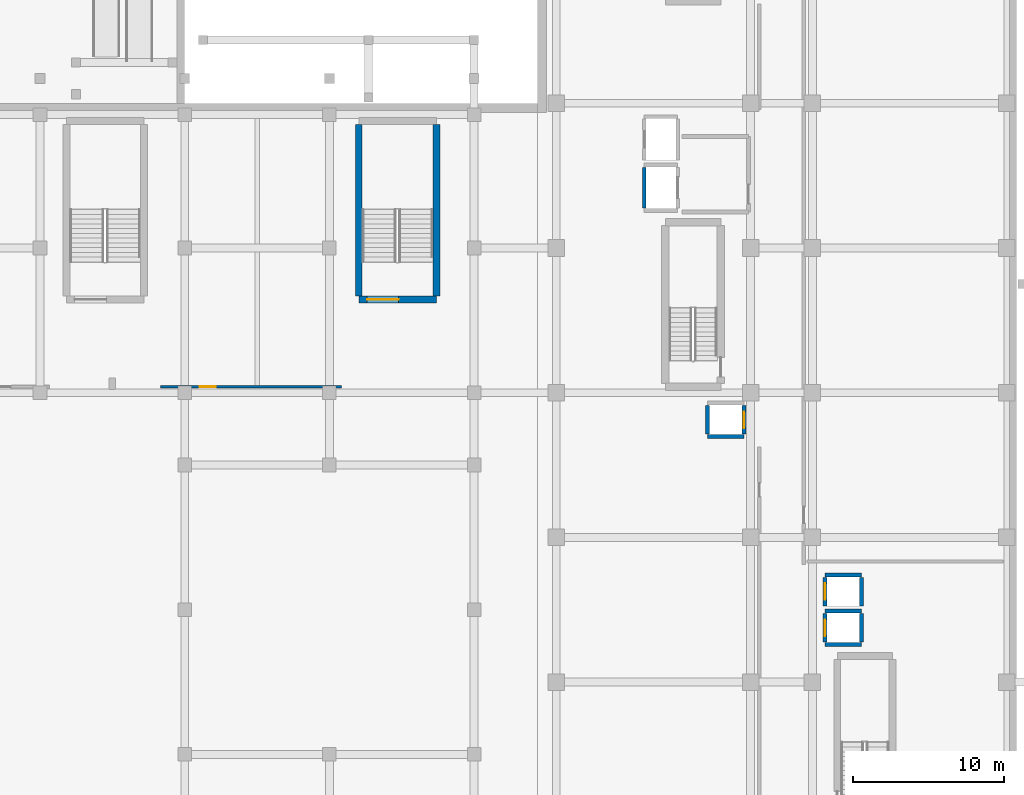
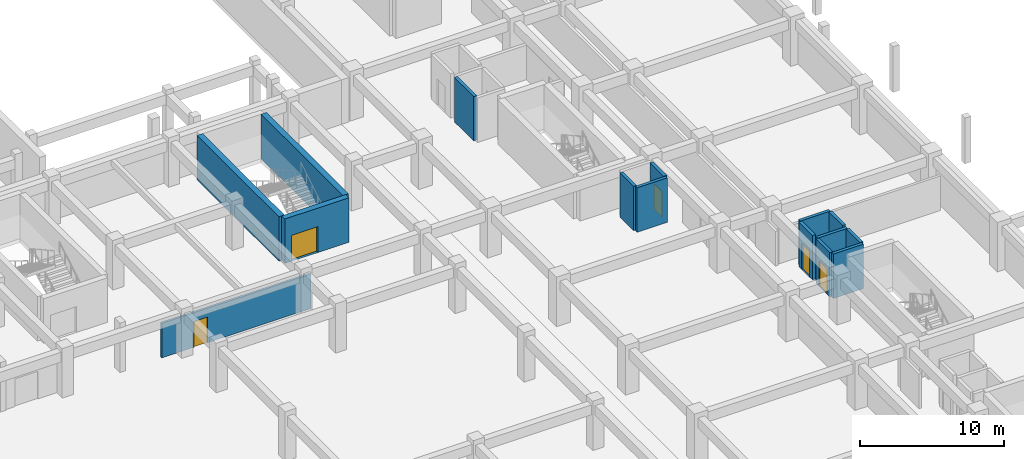
# One storey, part 16 of 39: 15 walls, 5 doors, 5 openings.
"""IFC4 building model written with IfcOpenShell, lengths in metres."""

from ifc_helpers import new_model, si_unit, direction, frame, frame_2d, origin, place, context, subcontext, project, spatial, rectangle, extrude, material, layer, layer_set, type_object, element, fill, save


model = new_model("IFC4")

# Units and contexts
model_context = context("Model", 3, precision=1e-05, world=origin(), true_north=direction((0.0, 1.0)))
body_context = subcontext(model_context, "Body", "Model", "MODEL_VIEW")
ifc_project = project(units=[si_unit("LENGTHUNIT", "METRE"), si_unit("AREAUNIT", "SQUARE_METRE"), si_unit("VOLUMEUNIT", "CUBIC_METRE"), si_unit("PLANEANGLEUNIT", "RADIAN"), si_unit("MASSUNIT", "GRAM", prefix="KILO")], contexts=[model_context])

# Site, building, storey
site_placement = place(None, origin())
site = spatial("IfcSite", under=ifc_project, at=site_placement, CompositionType="ELEMENT")
building_placement = place(site_placement, origin())
building = spatial("IfcBuilding", under=site, at=building_placement, Name="Nakhvara Creek Congress Hotel", CompositionType="ELEMENT")
storey_placement = place(building_placement, frame((0.0, 0.0, -4.199951171875)))
storey = spatial("IfcBuildingStorey", under=building, at=storey_placement, Name="B1", CompositionType="ELEMENT", Elevation=-4.199951171875)

# Wall, opening, door
ifc_material_1 = material(Name="Concrete C50/60", Category="concrete")
ifc_layer_1 = layer(ifc_material_1, 0.449951171875)
ifc_layer_set_1 = layer_set([ifc_layer_1], Name="Concrete C50/60")
wall_type_1 = type_object("IfcWallType", Name="W-CORE-450", PredefinedType="SHEAR", material=ifc_layer_set_1)
wall_1_placement = place(storey_placement, frame((136.35009765625, 82.97998046875, 0.0), z_axis=(0.0, 0.0, 1.0), x_axis=(1.0, 0.0, 0.0)))
wall_1 = element("IfcWall", 1, at=wall_1_placement, inside=storey, type_object=wall_type_1, Name="Core Shear Wall WS02-CWALL-B1-0915", PredefinedType="SHEAR", context=body_context, shape_type="SweptSolid", body=[
    extrude(rectangle(XDim=5.14990234375, YDim=0.449951171875, at=frame_2d((2.574951171875, 0.0))), origin(), (0.0, 0.0, 1.0), 3.780029296875),
])
opening_1_placement = place(wall_1_placement, frame((0.550048828125, 0.0, 0.0)))
opening_1 = element("IfcOpeningElement", 2, at=opening_1_placement, cuts=wall_1, Name="Opening FD19", PredefinedType="OPENING", context=body_context, shape_type="SweptSolid", body=[
    extrude(rectangle(XDim=2.10009765625, YDim=2.199951171875, at=frame_2d((1.050048828125, 1.10009765625))), frame((0.0, 0.23681640625, 0.0), z_axis=(0.0, -1.0, 0.0), x_axis=(1.0, 0.0, 0.0)), (0.0, 0.0, 1.0), 0.473876953125),
])
ifc_material_2 = material(Name="Galvanised steel acoustic fire door", Category="steel")
door_type_1 = type_object("IfcDoorType", Name="DT-STAIR-220", OperationType="DOUBLE_DOOR_SINGLE_SWING", PredefinedType="DOOR", material=ifc_material_2)
door_1_placement = place(opening_1_placement, frame((2.10009765625, 0.0, 0.0), z_axis=(0.0, 0.0, 1.0), x_axis=(-1.0, 0.0, 0.0)))
door_1 = element("IfcDoor", 3, at=door_1_placement, inside=storey, type_object=door_type_1, Name="Stair Exit Door ST10-B1", OperationType="DOUBLE_DOOR_SINGLE_SWING", OverallHeight=2.199951171875, OverallWidth=2.10009765625, PredefinedType="DOOR", context=body_context, shape_type="SweptSolid", body=[
    extrude(rectangle(XDim=2.10009765625, YDim=2.199951171875, at=frame_2d((1.050048828125, 1.10009765625))), frame((0.0, 0.02490234375, 0.0), z_axis=(0.0, -1.0, 0.0), x_axis=(1.0, 0.0, 0.0)), (0.0, 0.0, 1.0), 0.050048828125),
])
fill(opening_1, door_1)

# Walls
for number, where, z_axis, x_axis, name in (
    (4, (136.35009765625, 83.199951171875, 0.0), (0.0, 0.0, 1.0), (0.0, 1.0, 0.0), "Core Shear Wall WS02-CWALL-B1-0917"),
    (5, (141.5, 83.199951171875, 0.0), (0.0, 0.0, 1.0), (0.0, 1.0, 0.0), "Core Shear Wall WS02-CWALL-B1-0918"),
):
    element("IfcWall", number, at=place(storey_placement, frame(where, z_axis=z_axis, x_axis=x_axis)), inside=storey, type_object=wall_type_1, Name=name, PredefinedType="SHEAR", context=body_context, shape_type="SweptSolid", body=[
        extrude(rectangle(XDim=11.400146484375, YDim=0.449951171875, at=frame_2d((5.7001953125, 0.0))), origin(), (0.0, 0.0, 1.0), 3.780029296875),
    ])

# Wall, opening, door
ifc_material_3 = material(Name="Gypsum acoustic board on steel stud", Category="steel")
ifc_layer_2 = layer(ifc_material_3, 0.179931640625)
ifc_layer_set_2 = layer_set([ifc_layer_2], Name="Gypsum acoustic board on steel stud")
wall_type_2 = type_object("IfcWallType", Name="W-MEET-180", PredefinedType="PARTITIONING", material=ifc_layer_set_2)
wall_2_placement = place(storey_placement, frame((123.199951171875, 77.199951171875, 0.0), z_axis=(0.0, 0.0, 1.0), x_axis=(1.0, 0.0, 0.0)))
wall_2 = element("IfcWall", 6, at=wall_2_placement, inside=storey, type_object=wall_type_2, Name="Interior Wall WP13-IW-B1-0049", PredefinedType="PARTITIONING", context=body_context, shape_type="SweptSolid", body=[
    extrude(rectangle(XDim=12.0, YDim=0.179931640625, at=frame_2d((6.0, 0.0))), origin(), (0.0, 0.0, 1.0), 2.931884765625),
])
opening_2_placement = place(wall_2_placement, frame((2.60009765625, 0.0, 0.0)))
opening_2 = element("IfcOpeningElement", 7, at=opening_2_placement, cuts=wall_2, Name="Opening ID04", PredefinedType="OPENING", context=body_context, shape_type="SweptSolid", body=[
    extrude(rectangle(XDim=1.050048828125, YDim=2.179931640625, at=frame_2d((0.52490234375, 1.08984375))), frame((0.0, 0.10205078125, 0.0), z_axis=(0.0, -1.0, 0.0), x_axis=(1.0, 0.0, 0.0)), (0.0, 0.0, 1.0), 0.203857421875),
])
ifc_material_4 = material(Name="Teak timber & frosted glass spa door", Category="wood")
door_type_2 = type_object("IfcDoorType", Name="DT-SPA-105", OperationType="NOTDEFINED", PredefinedType="DOOR", material=ifc_material_4)
door_2_placement = place(opening_2_placement, frame((1.050048828125, 0.0, 0.0), z_axis=(0.0, 0.0, 1.0), x_axis=(-1.0, 0.0, 0.0)))
door_2 = element("IfcDoor", 8, at=door_2_placement, inside=storey, type_object=door_type_2, Name="Interior Door ID04-0055", OperationType="SINGLE_SWING_RIGHT", OverallHeight=2.179931640625, OverallWidth=1.050048828125, PredefinedType="DOOR", context=body_context, shape_type="SweptSolid", body=[
    extrude(rectangle(XDim=1.050048828125, YDim=2.179931640625, at=frame_2d((0.52490234375, 1.08984375))), frame((0.0, 0.02490234375, 0.0), z_axis=(0.0, -1.0, 0.0), x_axis=(1.0, 0.0, 0.0)), (0.0, 0.0, 1.0), 0.050048828125),
])
fill(opening_2, door_2)

# Walls
ifc_material_5 = material(Name="Concrete C40/50", Category="concrete")
ifc_layer_3 = layer(ifc_material_5, 0.25)
ifc_layer_set_3 = layer_set([ifc_layer_3], Name="Concrete C40/50")
wall_type_3 = type_object("IfcWallType", Name="W-SHAFT-250", PredefinedType="SOLIDWALL", material=ifc_layer_set_3)
wall_3_placement = place(storey_placement, frame((155.2900390625, 89.050048828125, 0.0), z_axis=(0.0, 0.0, 1.0), x_axis=(0.0, 1.0, 0.0)))
element("IfcWall", 9, at=wall_3_placement, inside=storey, type_object=wall_type_3, Name="Core Shear Wall WI02-CWALL-B1-0025", PredefinedType="SOLIDWALL", context=body_context, shape_type="SweptSolid", body=[
    extrude(rectangle(XDim=2.699951171875, YDim=0.25, at=frame_2d((1.35009765625, 0.0))), origin(), (0.0, 0.0, 1.0), 3.780029296875),
])
wall_4_placement = place(storey_placement, frame((159.489990234375, 73.889892578125, 0.0), z_axis=(0.0, 0.0, 1.0), x_axis=(1.0, 0.0, 0.0)))
element("IfcWall", 10, at=wall_4_placement, inside=storey, type_object=wall_type_3, Name="Core Shear Wall WI02-CWALL-B1-0030", PredefinedType="SOLIDWALL", context=body_context, shape_type="SweptSolid", body=[
    extrude(rectangle(XDim=2.419921875, YDim=0.25, at=frame_2d((1.2099609375, 0.0))), origin(), (0.0, 0.0, 1.0), 3.780029296875),
])
wall_5_placement = place(storey_placement, frame((159.489990234375, 74.050048828125, 0.0), z_axis=(0.0, 0.0, 1.0), x_axis=(0.0, 1.0, 0.0)))
element("IfcWall", 11, at=wall_5_placement, inside=storey, type_object=wall_type_3, Name="Core Shear Wall WI02-CWALL-B1-0032", PredefinedType="SOLIDWALL", context=body_context, shape_type="SweptSolid", body=[
    extrude(rectangle(XDim=1.89990234375, YDim=0.25, at=frame_2d((0.949951171875, 0.0))), origin(), (0.0, 0.0, 1.0), 3.780029296875),
])

# Wall, opening, door
wall_6_placement = place(storey_placement, frame((161.909912109375, 74.050048828125, 0.0), z_axis=(0.0, 0.0, 1.0), x_axis=(0.0, 1.0, 0.0)))
wall_6 = element("IfcWall", 12, at=wall_6_placement, inside=storey, type_object=wall_type_3, Name="Core Shear Wall WI02-CWALL-B1-0033", PredefinedType="SOLIDWALL", context=body_context, shape_type="SweptSolid", body=[
    extrude(rectangle(XDim=1.89990234375, YDim=0.25, at=frame_2d((0.949951171875, 0.0))), origin(), (0.0, 0.0, 1.0), 3.780029296875),
])
opening_3_placement = place(wall_6_placement, frame((0.39990234375, 0.0, 0.0)))
opening_3 = element("IfcOpeningElement", 13, at=opening_3_placement, cuts=wall_6, Name="Opening LD01", PredefinedType="OPENING", context=body_context, shape_type="SweptSolid", body=[
    extrude(rectangle(XDim=1.10009765625, YDim=2.199951171875, at=frame_2d((0.550048828125, 1.10009765625))), frame((0.0, 0.136962890625, 0.0), z_axis=(0.0, -1.0, 0.0), x_axis=(1.0, 0.0, 0.0)), (0.0, 0.0, 1.0), 0.27392578125),
])
ifc_material_6 = material(Name="Brushed stainless steel sliding landing door", Category="steel")
door_type_3 = type_object("IfcDoorType", Name="DT-LIFT-110", OperationType="DOUBLE_DOOR_SLIDING", PredefinedType="DOOR", material=ifc_material_6)
door_3_placement = place(opening_3_placement, origin())
door_3 = element("IfcDoor", 14, at=door_3_placement, inside=storey, type_object=door_type_3, Name="Landing Door PL02-B1", OperationType="SLIDING_TO_LEFT", OverallHeight=2.199951171875, OverallWidth=1.10009765625, PredefinedType="DOOR", context=body_context, shape_type="SweptSolid", body=[
    extrude(rectangle(XDim=1.10009765625, YDim=2.199951171875, at=frame_2d((0.550048828125, 1.10009765625))), frame((0.0, 0.02490234375, 0.0), z_axis=(0.0, -1.0, 0.0), x_axis=(1.0, 0.0, 0.0)), (0.0, 0.0, 1.0), 0.050048828125),
])
fill(opening_3, door_3)

# Walls
for number, where, z_axis, x_axis, name in (
    (15, (167.2900390625, 60.090087890625, 0.0), (0.0, 0.0, 1.0), (1.0, 0.0, 0.0), "Core Shear Wall WI02-CWALL-B1-0636"),
    (16, (167.2900390625, 62.31005859375, 0.0), (0.0, 0.0, 1.0), (1.0, 0.0, 0.0), "Core Shear Wall WI02-CWALL-B1-0637"),
):
    element("IfcWall", number, at=place(storey_placement, frame(where, z_axis=z_axis, x_axis=x_axis)), inside=storey, type_object=wall_type_3, Name=name, PredefinedType="SOLIDWALL", context=body_context, shape_type="SweptSolid", body=[
        extrude(rectangle(XDim=2.419921875, YDim=0.25, at=frame_2d((1.2099609375, 0.0))), origin(), (0.0, 0.0, 1.0), 3.780029296875),
    ])

# Wall, opening, door
wall_7_placement = place(storey_placement, frame((167.2900390625, 60.25, 0.0), z_axis=(0.0, 0.0, 1.0), x_axis=(0.0, 1.0, 0.0)))
wall_7 = element("IfcWall", 17, at=wall_7_placement, inside=storey, type_object=wall_type_3, Name="Core Shear Wall WI02-CWALL-B1-0638", PredefinedType="SOLIDWALL", context=body_context, shape_type="SweptSolid", body=[
    extrude(rectangle(XDim=1.89990234375, YDim=0.25, at=frame_2d((0.949951171875, 0.0))), origin(), (0.0, 0.0, 1.0), 3.780029296875),
])
opening_4_placement = place(wall_7_placement, frame((0.39990234375, 0.0, 0.0)))
opening_4 = element("IfcOpeningElement", 18, at=opening_4_placement, cuts=wall_7, Name="Opening LD01", PredefinedType="OPENING", context=body_context, shape_type="SweptSolid", body=[
    extrude(rectangle(XDim=1.10009765625, YDim=2.199951171875, at=frame_2d((0.550048828125, 1.10009765625))), frame((0.0, 0.136962890625, 0.0), z_axis=(0.0, -1.0, 0.0), x_axis=(1.0, 0.0, 0.0)), (0.0, 0.0, 1.0), 0.27392578125),
])
door_4_placement = place(opening_4_placement, origin())
door_4 = element("IfcDoor", 19, at=door_4_placement, inside=storey, type_object=door_type_3, Name="Landing Door PL05-B1", OperationType="SLIDING_TO_LEFT", OverallHeight=2.199951171875, OverallWidth=1.10009765625, PredefinedType="DOOR", context=body_context, shape_type="SweptSolid", body=[
    extrude(rectangle(XDim=1.10009765625, YDim=2.199951171875, at=frame_2d((0.550048828125, 1.10009765625))), frame((0.0, 0.02490234375, 0.0), z_axis=(0.0, -1.0, 0.0), x_axis=(1.0, 0.0, 0.0)), (0.0, 0.0, 1.0), 0.050048828125),
])
fill(opening_4, door_4)

# Walls
wall_8_placement = place(storey_placement, frame((169.7099609375, 60.25, 0.0), z_axis=(0.0, 0.0, 1.0), x_axis=(0.0, 1.0, 0.0)))
element("IfcWall", 20, at=wall_8_placement, inside=storey, type_object=wall_type_3, Name="Core Shear Wall WI02-CWALL-B1-0639", PredefinedType="SOLIDWALL", context=body_context, shape_type="SweptSolid", body=[
    extrude(rectangle(XDim=1.89990234375, YDim=0.25, at=frame_2d((0.949951171875, 0.0))), origin(), (0.0, 0.0, 1.0), 3.780029296875),
])
wall_9_placement = place(storey_placement, frame((167.2900390625, 64.7099609375, 0.0), z_axis=(0.0, 0.0, 1.0), x_axis=(1.0, 0.0, 0.0)))
element("IfcWall", 21, at=wall_9_placement, inside=storey, type_object=wall_type_3, Name="Core Shear Wall WI02-CWALL-B1-0640", PredefinedType="SOLIDWALL", context=body_context, shape_type="SweptSolid", body=[
    extrude(rectangle(XDim=2.419921875, YDim=0.25, at=frame_2d((1.2099609375, 0.0))), origin(), (0.0, 0.0, 1.0), 3.780029296875),
])

# Wall, opening, door
wall_10_placement = place(storey_placement, frame((167.2900390625, 62.64990234375, 0.0), z_axis=(0.0, 0.0, 1.0), x_axis=(0.0, 1.0, 0.0)))
wall_10 = element("IfcWall", 22, at=wall_10_placement, inside=storey, type_object=wall_type_3, Name="Core Shear Wall WI02-CWALL-B1-0641", PredefinedType="SOLIDWALL", context=body_context, shape_type="SweptSolid", body=[
    extrude(rectangle(XDim=1.900146484375, YDim=0.25, at=frame_2d((0.9501953125, 0.0))), origin(), (0.0, 0.0, 1.0), 3.780029296875),
])
opening_5_placement = place(wall_10_placement, frame((0.39990234375, 0.0, 0.0)))
opening_5 = element("IfcOpeningElement", 23, at=opening_5_placement, cuts=wall_10, Name="Opening LD01", PredefinedType="OPENING", context=body_context, shape_type="SweptSolid", body=[
    extrude(rectangle(XDim=1.10009765625, YDim=2.199951171875, at=frame_2d((0.550048828125, 1.10009765625))), frame((0.0, 0.136962890625, 0.0), z_axis=(0.0, -1.0, 0.0), x_axis=(1.0, 0.0, 0.0)), (0.0, 0.0, 1.0), 0.27392578125),
])
door_5_placement = place(opening_5_placement, origin())
door_5 = element("IfcDoor", 24, at=door_5_placement, inside=storey, type_object=door_type_3, Name="Landing Door PL06-B1", OperationType="SLIDING_TO_LEFT", OverallHeight=2.199951171875, OverallWidth=1.10009765625, PredefinedType="DOOR", context=body_context, shape_type="SweptSolid", body=[
    extrude(rectangle(XDim=1.10009765625, YDim=2.199951171875, at=frame_2d((0.550048828125, 1.10009765625))), frame((0.0, 0.02490234375, 0.0), z_axis=(0.0, -1.0, 0.0), x_axis=(1.0, 0.0, 0.0)), (0.0, 0.0, 1.0), 0.050048828125),
])
fill(opening_5, door_5)

# Wall
wall_11_placement = place(storey_placement, frame((169.7099609375, 62.64990234375, 0.0), z_axis=(0.0, 0.0, 1.0), x_axis=(0.0, 1.0, 0.0)))
element("IfcWall", 25, at=wall_11_placement, inside=storey, type_object=wall_type_3, Name="Core Shear Wall WI02-CWALL-B1-0642", PredefinedType="SOLIDWALL", context=body_context, shape_type="SweptSolid", body=[
    extrude(rectangle(XDim=1.900146484375, YDim=0.25, at=frame_2d((0.9501953125, 0.0))), origin(), (0.0, 0.0, 1.0), 3.780029296875),
])

save(model, "model.ifc")
